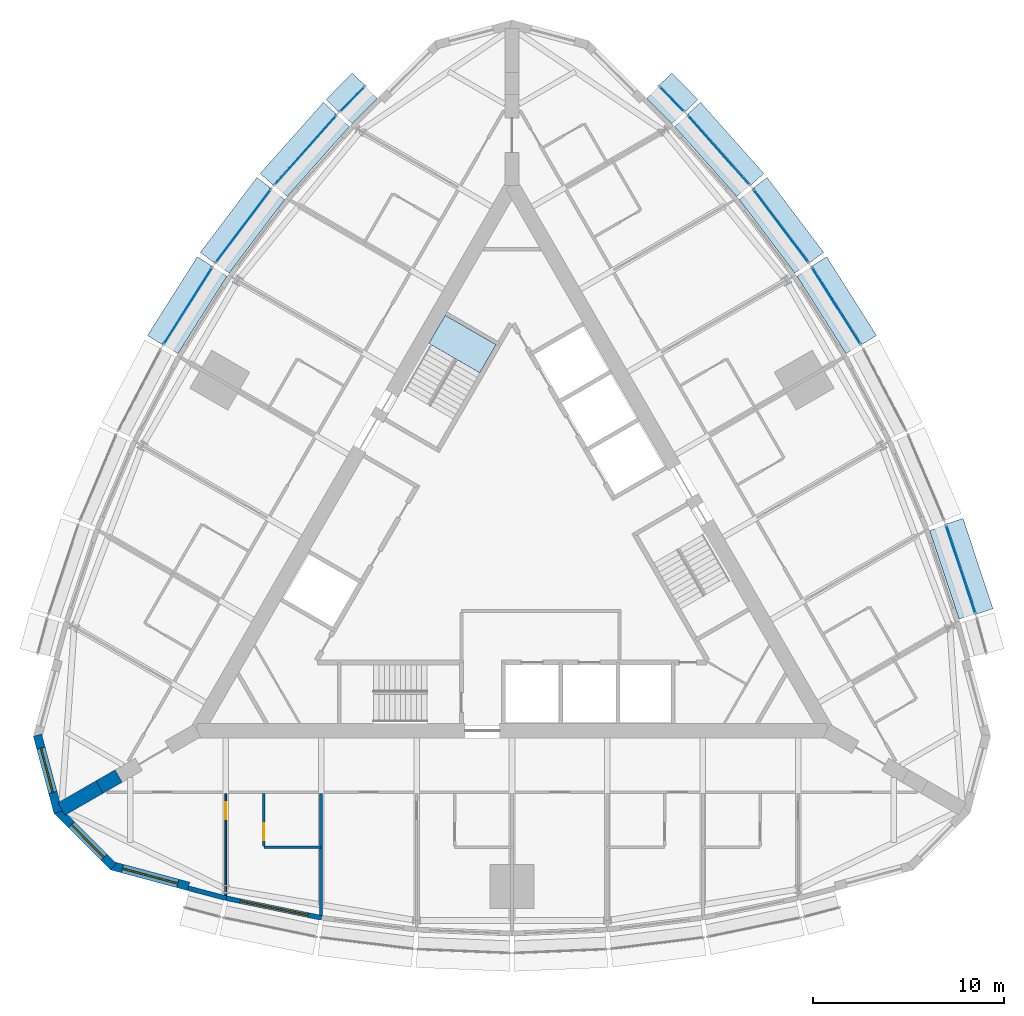
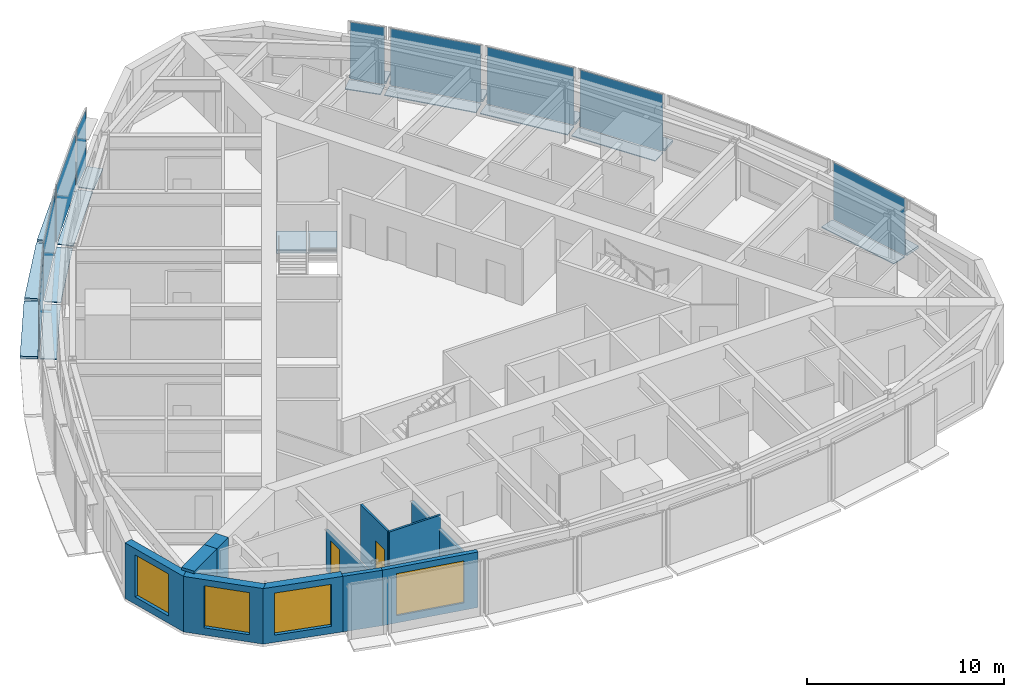
# One storey, part 8 of 15: 27 plates, 11 walls, 4 windows, 2 doors, 1 slab, 6 openings, 10 elements without a shape of their own.
"""IFC4 building model written with IfcOpenShell, lengths in metres."""

import ifcopenshell
import ifcopenshell.guid

model = None  # the IFC model being written
_history = None  # IfcOwnerHistory: only IFC2X3 demands one
_inside = {}  # id of a spatial element -> (the spatial element, [elements in it])
_under = {}  # id of a project, library or spatial element -> (it, [spatial elements below it])
_declared = {}  # id of a project -> (the project, [libraries it declares])
_typed = {}  # id of a type object -> (the type object, [elements of that type])
_made_of = {}  # id of a material, layer set ... -> (it, [elements and type objects made of it])


def new_model(schema):
    """Start an empty IFC model of exactly this schema.

    Asked for "IFC4X3", IfcOpenShell would pick the latest addendum, in which some entities
    have other attributes; the version numbers below select the first issue.
    IFC2X3 requires an IfcOwnerHistory on every rooted entity: one is made here for all.
    """
    global model, _history
    if schema == "IFC4X3":
        model = ifcopenshell.file(schema_version=(4, 3, 0, 0))
    else:
        model = ifcopenshell.file(schema=schema)
    _inside.clear()
    _under.clear()
    _declared.clear()
    _typed.clear()
    _made_of.clear()
    _history = None
    if model.schema == "IFC2X3":
        org = make("IfcOrganization", Name="unknown")
        user = make(
            "IfcPersonAndOrganization",
            ThePerson=make("IfcPerson", FamilyName="unknown"),
            TheOrganization=org,
        )
        app = make(
            "IfcApplication",
            ApplicationDeveloper=org,
            Version="unknown",
            ApplicationFullName="unknown",
            ApplicationIdentifier="unknown",
        )
        _history = make(
            "IfcOwnerHistory",
            OwningUser=user,
            OwningApplication=app,
            ChangeAction="ADDED",
            CreationDate=0,
        )
    return model


def make(cls, **values):
    """One entity of the class cls with the attributes given. An attribute that is None is left unset."""
    return model.create_entity(
        cls, **{name: value for name, value in values.items() if value is not None}
    )


def rooted(cls, **values):
    """An entity with a GlobalId (a new one), such as an element, a storey or a relation."""
    return make(cls, GlobalId=ifcopenshell.guid.new(), OwnerHistory=_history, **values)


def si_unit(unit_type, name, prefix=None):
    """IfcSIUnit, for example si_unit("LENGTHUNIT", "METRE", prefix="MILLI")."""
    return make("IfcSIUnit", UnitType=unit_type, Prefix=prefix, Name=name)


def assignment(units):
    """IfcUnitAssignment: the units of a project."""
    return None if units is None else make("IfcUnitAssignment", Units=units)


def point(xyz):
    """IfcCartesianPoint."""
    return None if xyz is None else make("IfcCartesianPoint", Coordinates=xyz)


def direction(xyz):
    """IfcDirection."""
    return None if xyz is None else make("IfcDirection", DirectionRatios=xyz)


def frame(location, z_axis=None, x_axis=None):
    """IfcAxis2Placement3D, a coordinate frame: its origin and axes. An axis left out is left unset."""
    return make(
        "IfcAxis2Placement3D",
        Location=point(location),
        Axis=direction(z_axis),
        RefDirection=direction(x_axis),
    )


def frame_2d(location, x_axis=None):
    """IfcAxis2Placement2D, a coordinate frame in the plane: its origin and x axis."""
    return make(
        "IfcAxis2Placement2D", Location=point(location), RefDirection=direction(x_axis)
    )


def origin():
    """The frame at (0, 0, 0) with its axes left unset."""
    return frame((0.0, 0.0, 0.0))


def origin_2d():
    """The frame at (0, 0) in the plane with its x axis left unset."""
    return frame_2d((0.0, 0.0))


def place(relative_to, where):
    """IfcLocalPlacement: puts the frame where relative to a parent placement (None: the world)."""
    return make(
        "IfcLocalPlacement", PlacementRelTo=relative_to, RelativePlacement=where
    )


def context(
    kind, dimensions, precision=None, world=None, true_north=None, identifier=None
):
    """IfcGeometricRepresentationContext, for example the 3D "Model" context."""
    return make(
        "IfcGeometricRepresentationContext",
        ContextIdentifier=identifier,
        ContextType=kind,
        CoordinateSpaceDimension=dimensions,
        Precision=precision,
        WorldCoordinateSystem=world,
        TrueNorth=true_north,
    )


def subcontext(parent, identifier, kind, view, scale=None):
    """IfcGeometricRepresentationSubContext, for example "Body" below "Model"."""
    return make(
        "IfcGeometricRepresentationSubContext",
        ContextIdentifier=identifier,
        ContextType=kind,
        ParentContext=parent,
        TargetScale=scale,
        TargetView=view,
    )


def project(units=None, contexts=None):
    """IfcProject with its units and contexts."""
    return rooted(
        "IfcProject",
        Name="project",
        RepresentationContexts=contexts,
        UnitsInContext=assignment(units),
    )


def spatial(cls, under=None, at=None, **own):
    """A site, building, storey or space (cls), placed at a placement, below another one or the project."""
    s = rooted(cls, ObjectPlacement=at, **own)
    if under is not None:
        _under.setdefault(under.id(), (under, []))[1].append(s)
    return s


def polyline(points):
    """IfcPolyline through the points."""
    return make("IfcPolyline", Points=[point(p) for p in points])


def profile(cls, at=None, kind="AREA", **sizes):
    """A parametric profile (cls). Its sizes go by their IFC names, for example OverallWidth=200.0."""
    return make(cls, ProfileType=kind, Position=at, **sizes)


def rectangle(**sizes):
    """IfcRectangleProfileDef."""
    return profile("IfcRectangleProfileDef", **sizes)


def outline(outer, holes=None, kind="AREA"):
    """IfcArbitraryClosedProfileDef: a profile drawn as a closed curve; with holes, ...WithVoids."""
    if holes is None:
        return make("IfcArbitraryClosedProfileDef", ProfileType=kind, OuterCurve=outer)
    return make(
        "IfcArbitraryProfileDefWithVoids",
        ProfileType=kind,
        OuterCurve=outer,
        InnerCurves=holes,
    )


def extrude(swept, where, along, depth):
    """IfcExtrudedAreaSolid: the profile swept, set in the frame where, extruded along a direction by depth."""
    return make(
        "IfcExtrudedAreaSolid",
        SweptArea=swept,
        Position=where,
        ExtrudedDirection=direction(along),
        Depth=depth,
    )


def shape(context_of_items, identifier, shape_type, items):
    """IfcShapeRepresentation: the items that make up one representation, for example the "Body"."""
    return make(
        "IfcShapeRepresentation",
        ContextOfItems=context_of_items,
        RepresentationIdentifier=identifier,
        RepresentationType=shape_type,
        Items=items,
    )


def material(Name=None, Category=None):
    """IfcMaterial."""
    return make("IfcMaterial", Name=Name, Category=Category)


def layer(
    of_material, thickness, ventilated=None, Name=None, Category=None, Priority=None
):
    """IfcMaterialLayer: one layer of a wall or slab, of a material (None: an air gap)."""
    return make(
        "IfcMaterialLayer",
        Material=of_material,
        LayerThickness=thickness,
        IsVentilated=ventilated,
        Name=Name,
        Category=Category,
        Priority=Priority,
    )


def layer_set(layers, Name=None):
    """IfcMaterialLayerSet."""
    return make("IfcMaterialLayerSet", MaterialLayers=layers, LayerSetName=Name)


def made_of(thing, what):
    """Note that an element or type object is made of a material, layer set ...; save() writes the relation."""
    if what is not None:
        _made_of.setdefault(what.id(), (what, []))[1].append(thing)
    return thing


def type_object(cls, material=None, **own):
    """A type object (cls), such as IfcWallType, which elements share."""
    return made_of(rooted(cls, **own), material)


def element(
    cls,
    number,
    at=None,
    inside=None,
    cuts=None,
    type_object=None,
    material=None,
    context=None,
    identifier="Body",
    shape_type=None,
    held_by="IfcProductDefinitionShape",
    body=None,
    shapes=None,
    **own,
):
    """One element of the class cls, such as IfcWall. Its Tag is "e" and its number.

    at: its placement. inside: the storey or other place that contains it. cuts: it is an
    opening in that element (IfcRelVoidsElement). A single representation is given by context,
    identifier, shape_type and body (its items); several are given by shapes. held_by: the class
    of the entity that holds the representations. save() writes the other relations.
    """
    e = rooted(cls, Tag="e%d" % number, ObjectPlacement=at, **own)
    if body is not None:
        shapes = [shape(context, identifier, shape_type, body)]
    if shapes is not None:
        e.Representation = make(held_by, Representations=shapes)
    if inside is not None:
        _inside.setdefault(inside.id(), (inside, []))[1].append(e)
    if cuts is not None:
        rooted(
            "IfcRelVoidsElement", RelatingBuildingElement=cuts, RelatedOpeningElement=e
        )
    if type_object is not None:
        _typed.setdefault(type_object.id(), (type_object, []))[1].append(e)
    return made_of(e, material)


def fill(opening, filler):
    """IfcRelFillsElement: the door or window that sits in an opening."""
    return rooted(
        "IfcRelFillsElement",
        RelatingOpeningElement=opening,
        RelatedBuildingElement=filler,
    )


def aggregate(whole, parts):
    """IfcRelAggregates: a whole, such as a stair, and the parts it consists of."""
    return rooted("IfcRelAggregates", RelatingObject=whole, RelatedObjects=parts)


def save(model, path):
    """Write the relations noted so far, then the file.

    IfcRelAggregates (storeys below a building ...), IfcRelContainedInSpatialStructure (elements
    in a storey), IfcRelDefinesByType, IfcRelAssociatesMaterial and IfcRelDeclares: one each for
    every whole, place, type object, material and project.
    """
    for whole, parts in _under.values():
        aggregate(whole, parts)
    for where, things in _inside.values():
        rooted(
            "IfcRelContainedInSpatialStructure",
            RelatedElements=things,
            RelatingStructure=where,
        )
    for kind, things in _typed.values():
        rooted("IfcRelDefinesByType", RelatedObjects=things, RelatingType=kind)
    for what, things in _made_of.values():
        rooted("IfcRelAssociatesMaterial", RelatedObjects=things, RelatingMaterial=what)
    for by, libraries in _declared.values():
        rooted("IfcRelDeclares", RelatingContext=by, RelatedDefinitions=libraries)
    model.write(path)


model = new_model("IFC4")

# Units and contexts
model_context = context("Model", 3, precision=1e-05, world=origin(), true_north=direction((0.0, 1.0)))
body_context = subcontext(model_context, "Body", "Model", "MODEL_VIEW")
ifc_project = project(units=[si_unit("LENGTHUNIT", "METRE"), si_unit("AREAUNIT", "SQUARE_METRE"), si_unit("VOLUMEUNIT", "CUBIC_METRE"), si_unit("PLANEANGLEUNIT", "RADIAN"), si_unit("MASSUNIT", "GRAM", prefix="KILO")], contexts=[model_context])

# Site, building, storey
site_placement = place(None, origin())
site = spatial("IfcSite", under=ifc_project, at=site_placement, CompositionType="ELEMENT")
building_placement = place(site_placement, origin())
building = spatial("IfcBuilding", under=site, at=building_placement, Name="Trikona Tower", CompositionType="ELEMENT")
storey_placement = place(building_placement, frame((0.0, 0.0, 226.10009765625)))
storey = spatial("IfcBuildingStorey", under=building, at=storey_placement, Name="L60", CompositionType="ELEMENT", Elevation=226.10009765625)

# Plates
ifc_material_1 = material(Name="Aluminium bar grating", Category="aluminium")
ifc_layer_1 = layer(ifc_material_1, 0.050048828125)
ifc_layer_set_1 = layer_set([ifc_layer_1], Name="Cavity catwalk grating")
plate_type_1 = type_object("IfcPlateType", Name="Cavity catwalk grating", PredefinedType="USERDEFINED", material=ifc_layer_set_1)
plate_1_placement = place(storey_placement, frame((23.05078125, -1.22314453125, -0.05029296875), z_axis=(0.0, 0.0, 1.0), x_axis=(-0.315092532747, 0.949060954737, 0.0)))
element("IfcPlate", 1, at=plate_1_placement, inside=storey, type_object=plate_type_1, Name="Cavity catwalk L60-13", ObjectType="CATWALK GRATING", PredefinedType="USERDEFINED", context=body_context, shape_type="SweptSolid", body=[
    extrude(rectangle(XDim=4.90478515625, YDim=0.840087890625, at=origin_2d()), origin(), (0.0, 0.0, 1.0), 0.050048828125),
])
plate_2_placement = place(storey_placement, frame((16.57666015625, 12.477294921875, -0.05029296875), z_axis=(0.0, 0.0, 1.0), x_axis=(-0.535204777743, 0.844722348397, 0.0)))
element("IfcPlate", 2, at=plate_2_placement, inside=storey, type_object=plate_type_1, Name="Cavity catwalk L60-16", ObjectType="CATWALK GRATING", PredefinedType="USERDEFINED", context=body_context, shape_type="SweptSolid", body=[
    extrude(rectangle(XDim=4.80419921875, YDim=0.840087890625, at=origin_2d()), origin(), (0.0, 0.0, 1.0), 0.050048828125),
])
plate_3_placement = place(storey_placement, frame((13.70068359375, 16.6298828125, -0.05029296875), z_axis=(0.0, 0.0, 1.0), x_axis=(-0.602401684924, 0.798193090674, 0.0)))
element("IfcPlate", 3, at=plate_3_placement, inside=storey, type_object=plate_type_1, Name="Cavity catwalk L60-17", ObjectType="CATWALK GRATING", PredefinedType="USERDEFINED", context=body_context, shape_type="SweptSolid", body=[
    extrude(rectangle(XDim=4.837890625, YDim=0.840087890625, at=origin_2d()), origin(), (0.0, 0.0, 1.0), 0.050048828125),
])
plate_4_placement = place(storey_placement, frame((10.466064453125, 20.57421875, -0.05029296875), z_axis=(0.0, 0.0, 1.0), x_axis=(-0.664367239113, 0.747406296196, 0.0)))
element("IfcPlate", 4, at=plate_4_placement, inside=storey, type_object=plate_type_1, Name="Cavity catwalk L60-18", ObjectType="CATWALK GRATING", PredefinedType="USERDEFINED", context=body_context, shape_type="SweptSolid", body=[
    extrude(rectangle(XDim=4.90478515625, YDim=0.840087890625, at=origin_2d()), origin(), (0.0, 0.0, 1.0), 0.050048828125),
])
for number, where, z_axis, x_axis, name in (
    (5, (8.0263671875, 23.23291015625, -0.05029296875), (0.0, 0.0, 1.0), (-0.704151057285, 0.710050201412, 0.0), "Cavity catwalk L60-19"),
    (6, (-8.0263671875, 23.23291015625, -0.05029296875), (0.0, 0.0, 1.0), (-0.704151057285, -0.710050201412, 0.0), "Cavity catwalk L60-24"),
):
    element("IfcPlate", number, at=place(storey_placement, frame(where, z_axis=z_axis, x_axis=x_axis)), inside=storey, type_object=plate_type_1, Name=name, ObjectType="CATWALK GRATING", PredefinedType="USERDEFINED", context=body_context, shape_type="SweptSolid", body=[
        extrude(rectangle(XDim=1.868408203125, YDim=0.840087890625, at=origin_2d()), origin(), (0.0, 0.0, 1.0), 0.050048828125),
    ])
plate_5_placement = place(storey_placement, frame((-10.466064453125, 20.57421875, -0.05029296875), z_axis=(0.0, 0.0, 1.0), x_axis=(-0.664367239113, -0.747406296196, 0.0)))
element("IfcPlate", 7, at=plate_5_placement, inside=storey, type_object=plate_type_1, Name="Cavity catwalk L60-25", ObjectType="CATWALK GRATING", PredefinedType="USERDEFINED", context=body_context, shape_type="SweptSolid", body=[
    extrude(rectangle(XDim=4.90478515625, YDim=0.840087890625, at=origin_2d()), origin(), (0.0, 0.0, 1.0), 0.050048828125),
])
plate_6_placement = place(storey_placement, frame((-13.70068359375, 16.6298828125, -0.05029296875), z_axis=(0.0, 0.0, 1.0), x_axis=(-0.602401684924, -0.798193090674, 0.0)))
element("IfcPlate", 8, at=plate_6_placement, inside=storey, type_object=plate_type_1, Name="Cavity catwalk L60-26", ObjectType="CATWALK GRATING", PredefinedType="USERDEFINED", context=body_context, shape_type="SweptSolid", body=[
    extrude(rectangle(XDim=4.837890625, YDim=0.840087890625, at=origin_2d()), origin(), (0.0, 0.0, 1.0), 0.050048828125),
])
plate_7_placement = place(storey_placement, frame((-16.57666015625, 12.477294921875, -0.05029296875), z_axis=(0.0, 0.0, 1.0), x_axis=(-0.535204777743, -0.844722348397, 0.0)))
element("IfcPlate", 9, at=plate_7_placement, inside=storey, type_object=plate_type_1, Name="Cavity catwalk L60-27", ObjectType="CATWALK GRATING", PredefinedType="USERDEFINED", context=body_context, shape_type="SweptSolid", body=[
    extrude(rectangle(XDim=4.80419921875, YDim=0.840087890625, at=origin_2d()), origin(), (0.0, 0.0, 1.0), 0.050048828125),
])

# Curtain wall, plate
ifc_material_2 = material(Name="Aluminium curtain wall system", Category="aluminium")
curtain_wall_type = type_object("IfcCurtainWallType", Name="Curtain wall DS3", PredefinedType="NOTDEFINED", material=ifc_material_2)
curtain_wall_1_placement = place(storey_placement, origin())
curtain_wall_1 = element("IfcCurtainWall", 10, at=curtain_wall_1_placement, inside=storey, type_object=curtain_wall_type, Name="Curtain wall DS3 L60", PredefinedType="NOTDEFINED")
ifc_material_3 = material(Name="Laminated clear glass", Category="glass")
ifc_layer_2 = layer(ifc_material_3, 0.028076171875)
ifc_layer_set_2 = layer_set([ifc_layer_2], Name="Glass panel DS3")
plate_type_2 = type_object("IfcPlateType", Name="Glass panel DS3", PredefinedType="CURTAIN_PANEL", material=ifc_layer_set_2)
plate_8_placement = place(storey_placement, frame((23.50634765625, -1.072021484375, 0.0), z_axis=(0.0, 0.0, 1.0), x_axis=(-0.315078038687, 0.949065766708, 0.0)))
plate_8 = element("IfcPlate", 11, at=plate_8_placement, type_object=plate_type_2, Name="CW-DS3 panel 1.1", PredefinedType="CURTAIN_PANEL", context=body_context, shape_type="SweptSolid", body=[
    extrude(rectangle(XDim=4.8447265625, YDim=0.028076171875, at=origin_2d()), origin(), (0.0, 0.0, 1.0), 3.530029296875),
])
aggregate(curtain_wall_1, [plate_8])

curtain_wall_2_placement = place(storey_placement, origin())
curtain_wall_2 = element("IfcCurtainWall", 12, at=curtain_wall_2_placement, inside=storey, type_object=curtain_wall_type, Name="Curtain wall DS3 L60", PredefinedType="NOTDEFINED")
plate_9_placement = place(storey_placement, frame((16.982177734375, 12.734130859375, 0.0), z_axis=(0.0, 0.0, 1.0), x_axis=(-0.535197227854, 0.844727131858, 0.0)))
plate_9 = element("IfcPlate", 13, at=plate_9_placement, type_object=plate_type_2, Name="CW-DS3 panel 1.1", PredefinedType="CURTAIN_PANEL", context=body_context, shape_type="SweptSolid", body=[
    extrude(rectangle(XDim=4.744140625, YDim=0.028076171875, at=origin_2d()), origin(), (0.0, 0.0, 1.0), 3.530029296875),
])
aggregate(curtain_wall_2, [plate_9])

curtain_wall_3_placement = place(storey_placement, origin())
curtain_wall_3 = element("IfcCurtainWall", 14, at=curtain_wall_3_placement, inside=storey, type_object=curtain_wall_type, Name="Curtain wall DS3 L60", PredefinedType="NOTDEFINED")
plate_10_placement = place(storey_placement, frame((14.083740234375, 16.9189453125, 0.0), z_axis=(0.0, 0.0, 1.0), x_axis=(-0.602401528506, 0.798193208724, 0.0)))
plate_10 = element("IfcPlate", 15, at=plate_10_placement, type_object=plate_type_2, Name="CW-DS3 panel 1.1", PredefinedType="CURTAIN_PANEL", context=body_context, shape_type="SweptSolid", body=[
    extrude(rectangle(XDim=4.778076171875, YDim=0.028076171875, at=origin_2d()), origin(), (0.0, 0.0, 1.0), 3.530029296875),
])
aggregate(curtain_wall_3, [plate_10])

curtain_wall_4_placement = place(storey_placement, origin())
curtain_wall_4 = element("IfcCurtainWall", 16, at=curtain_wall_4_placement, inside=storey, type_object=curtain_wall_type, Name="Curtain wall DS3 L60", PredefinedType="NOTDEFINED")
plate_11_placement = place(storey_placement, frame((10.82470703125, 20.89306640625, 0.0), z_axis=(0.0, 0.0, 1.0), x_axis=(-0.664371309689, 0.747402677853, 0.0)))
plate_11 = element("IfcPlate", 17, at=plate_11_placement, type_object=plate_type_2, Name="CW-DS3 panel 1.1", PredefinedType="CURTAIN_PANEL", context=body_context, shape_type="SweptSolid", body=[
    extrude(rectangle(XDim=4.844970703125, YDim=0.028076171875, at=origin_2d()), origin(), (0.0, 0.0, 1.0), 3.530029296875),
])
aggregate(curtain_wall_4, [plate_11])

curtain_wall_5_placement = place(storey_placement, origin())
curtain_wall_5 = element("IfcCurtainWall", 18, at=curtain_wall_5_placement, inside=storey, type_object=curtain_wall_type, Name="Curtain wall DS3 L60", PredefinedType="NOTDEFINED")
plate_12_placement = place(storey_placement, frame((8.3671875, 23.57080078125, 0.0), z_axis=(0.0, 0.0, 1.0), x_axis=(-0.704149343903, 0.710051900554, 0.0)))
plate_12 = element("IfcPlate", 19, at=plate_12_placement, type_object=plate_type_2, Name="CW-DS3 panel 1.1", PredefinedType="CURTAIN_PANEL", context=body_context, shape_type="SweptSolid", body=[
    extrude(rectangle(XDim=1.808349609375, YDim=0.028076171875, at=origin_2d()), origin(), (0.0, 0.0, 1.0), 3.530029296875),
])
aggregate(curtain_wall_5, [plate_12])

curtain_wall_6_placement = place(storey_placement, origin())
curtain_wall_6 = element("IfcCurtainWall", 20, at=curtain_wall_6_placement, inside=storey, type_object=curtain_wall_type, Name="Curtain wall DS3 L60", PredefinedType="NOTDEFINED")
plate_13_placement = place(storey_placement, frame((-8.3671875, 23.57080078125, 0.0), z_axis=(0.0, 0.0, 1.0), x_axis=(-0.704149343903, -0.710051900554, 0.0)))
plate_13 = element("IfcPlate", 21, at=plate_13_placement, type_object=plate_type_2, Name="CW-DS3 panel 1.1", PredefinedType="CURTAIN_PANEL", context=body_context, shape_type="SweptSolid", body=[
    extrude(rectangle(XDim=1.808349609375, YDim=0.028076171875, at=origin_2d()), origin(), (0.0, 0.0, 1.0), 3.530029296875),
])
aggregate(curtain_wall_6, [plate_13])

curtain_wall_7_placement = place(storey_placement, origin())
curtain_wall_7 = element("IfcCurtainWall", 22, at=curtain_wall_7_placement, inside=storey, type_object=curtain_wall_type, Name="Curtain wall DS3 L60", PredefinedType="NOTDEFINED")
plate_14_placement = place(storey_placement, frame((-10.82470703125, 20.89306640625, 0.0), z_axis=(0.0, 0.0, 1.0), x_axis=(-0.664371309689, -0.747402677853, 0.0)))
plate_14 = element("IfcPlate", 23, at=plate_14_placement, type_object=plate_type_2, Name="CW-DS3 panel 1.1", PredefinedType="CURTAIN_PANEL", context=body_context, shape_type="SweptSolid", body=[
    extrude(rectangle(XDim=4.844970703125, YDim=0.028076171875, at=origin_2d()), origin(), (0.0, 0.0, 1.0), 3.530029296875),
])
aggregate(curtain_wall_7, [plate_14])

curtain_wall_8_placement = place(storey_placement, origin())
curtain_wall_8 = element("IfcCurtainWall", 24, at=curtain_wall_8_placement, inside=storey, type_object=curtain_wall_type, Name="Curtain wall DS3 L60", PredefinedType="NOTDEFINED")
plate_15_placement = place(storey_placement, frame((-14.083740234375, 16.9189453125, 0.0), z_axis=(0.0, 0.0, 1.0), x_axis=(-0.602401528506, -0.798193208724, 0.0)))
plate_15 = element("IfcPlate", 25, at=plate_15_placement, type_object=plate_type_2, Name="CW-DS3 panel 1.1", PredefinedType="CURTAIN_PANEL", context=body_context, shape_type="SweptSolid", body=[
    extrude(rectangle(XDim=4.778076171875, YDim=0.028076171875, at=origin_2d()), origin(), (0.0, 0.0, 1.0), 3.530029296875),
])
aggregate(curtain_wall_8, [plate_15])

curtain_wall_9_placement = place(storey_placement, origin())
curtain_wall_9 = element("IfcCurtainWall", 26, at=curtain_wall_9_placement, inside=storey, type_object=curtain_wall_type, Name="Curtain wall DS3 L60", PredefinedType="NOTDEFINED")
plate_16_placement = place(storey_placement, frame((-16.982177734375, 12.734130859375, 0.0), z_axis=(0.0, 0.0, 1.0), x_axis=(-0.535197227854, -0.844727131858, 0.0)))
plate_16 = element("IfcPlate", 27, at=plate_16_placement, type_object=plate_type_2, Name="CW-DS3 panel 1.1", PredefinedType="CURTAIN_PANEL", context=body_context, shape_type="SweptSolid", body=[
    extrude(rectangle(XDim=4.744140625, YDim=0.028076171875, at=origin_2d()), origin(), (0.0, 0.0, 1.0), 3.530029296875),
])
aggregate(curtain_wall_9, [plate_16])

# Plates
ifc_material_4 = material(Name="Aluminium plate fin, pale anodised, on stainless steel outriggers", Category="steel")
ifc_layer_3 = layer(ifc_material_4, 0.14990234375)
ifc_layer_set_3 = layer_set([ifc_layer_3], Name="Outer skin fin 900")
plate_type_3 = type_object("IfcPlateType", Name="Outer skin fin 900", PredefinedType="USERDEFINED", material=ifc_layer_set_3)
plate_17_placement = place(storey_placement, frame((23.990234375, -0.9111328125, 0.0), z_axis=(0.0, 0.0, 1.0), x_axis=(-0.315092532747, 0.949060954737, 0.0)))
element("IfcPlate", 28, at=plate_17_placement, inside=storey, type_object=plate_type_3, Name="Outer skin fin L60-13", ObjectType="FIN", PredefinedType="USERDEFINED", context=body_context, shape_type="SweptSolid", body=[
    extrude(rectangle(XDim=4.98486328125, YDim=0.89990234375, at=origin_2d()), origin(), (0.0, 0.0, 1.0), 0.14990234375),
])
plate_18_placement = place(storey_placement, frame((17.4130859375, 13.007080078125, 0.0), z_axis=(0.0, 0.0, 1.0), x_axis=(-0.535204777743, 0.844722348397, 0.0)))
element("IfcPlate", 29, at=plate_18_placement, inside=storey, type_object=plate_type_3, Name="Outer skin fin L60-16", ObjectType="FIN", PredefinedType="USERDEFINED", context=body_context, shape_type="SweptSolid", body=[
    extrude(rectangle(XDim=4.88427734375, YDim=0.89990234375, at=origin_2d()), origin(), (0.0, 0.0, 1.0), 0.14990234375),
])
plate_19_placement = place(storey_placement, frame((14.49072265625, 17.22607421875, 0.0), z_axis=(0.0, 0.0, 1.0), x_axis=(-0.602401684924, 0.798193090674, 0.0)))
element("IfcPlate", 30, at=plate_19_placement, inside=storey, type_object=plate_type_3, Name="Outer skin fin L60-17", ObjectType="FIN", PredefinedType="USERDEFINED", context=body_context, shape_type="SweptSolid", body=[
    extrude(rectangle(XDim=4.91796875, YDim=0.89990234375, at=origin_2d()), origin(), (0.0, 0.0, 1.0), 0.14990234375),
])
plate_20_placement = place(storey_placement, frame((11.2060546875, 21.23193359375, 0.0), z_axis=(0.0, 0.0, 1.0), x_axis=(-0.664367239113, 0.747406296196, 0.0)))
element("IfcPlate", 31, at=plate_20_placement, inside=storey, type_object=plate_type_3, Name="Outer skin fin L60-18", ObjectType="FIN", PredefinedType="USERDEFINED", context=body_context, shape_type="SweptSolid", body=[
    extrude(rectangle(XDim=4.98486328125, YDim=0.89990234375, at=origin_2d()), origin(), (0.0, 0.0, 1.0), 0.14990234375),
])
for number, where, z_axis, x_axis, name in (
    (32, (8.7294921875, 23.929931640625, 0.0), (0.0, 0.0, 1.0), (-0.704151057285, 0.710050201412, 0.0), "Outer skin fin L60-19"),
    (33, (-8.7294921875, 23.929931640625, 0.0), (0.0, 0.0, 1.0), (-0.704151057285, -0.710050201412, 0.0), "Outer skin fin L60-24"),
):
    element("IfcPlate", number, at=place(storey_placement, frame(where, z_axis=z_axis, x_axis=x_axis)), inside=storey, type_object=plate_type_3, Name=name, ObjectType="FIN", PredefinedType="USERDEFINED", context=body_context, shape_type="SweptSolid", body=[
        extrude(rectangle(XDim=1.9482421875, YDim=0.89990234375, at=origin_2d()), origin(), (0.0, 0.0, 1.0), 0.14990234375),
    ])
plate_21_placement = place(storey_placement, frame((-11.2060546875, 21.23193359375, 0.0), z_axis=(0.0, 0.0, 1.0), x_axis=(-0.664367239113, -0.747406296196, 0.0)))
element("IfcPlate", 34, at=plate_21_placement, inside=storey, type_object=plate_type_3, Name="Outer skin fin L60-25", ObjectType="FIN", PredefinedType="USERDEFINED", context=body_context, shape_type="SweptSolid", body=[
    extrude(rectangle(XDim=4.98486328125, YDim=0.89990234375, at=origin_2d()), origin(), (0.0, 0.0, 1.0), 0.14990234375),
])
plate_22_placement = place(storey_placement, frame((-14.49072265625, 17.22607421875, 0.0), z_axis=(0.0, 0.0, 1.0), x_axis=(-0.602401684924, -0.798193090674, 0.0)))
element("IfcPlate", 35, at=plate_22_placement, inside=storey, type_object=plate_type_3, Name="Outer skin fin L60-26", ObjectType="FIN", PredefinedType="USERDEFINED", context=body_context, shape_type="SweptSolid", body=[
    extrude(rectangle(XDim=4.91796875, YDim=0.89990234375, at=origin_2d()), origin(), (0.0, 0.0, 1.0), 0.14990234375),
])
plate_23_placement = place(storey_placement, frame((-17.4130859375, 13.007080078125, 0.0), z_axis=(0.0, 0.0, 1.0), x_axis=(-0.535204777743, -0.844722348397, 0.0)))
element("IfcPlate", 36, at=plate_23_placement, inside=storey, type_object=plate_type_3, Name="Outer skin fin L60-27", ObjectType="FIN", PredefinedType="USERDEFINED", context=body_context, shape_type="SweptSolid", body=[
    extrude(rectangle(XDim=4.88427734375, YDim=0.89990234375, at=origin_2d()), origin(), (0.0, 0.0, 1.0), 0.14990234375),
])

# Stair, slab
ifc_material_5 = material(Name="Concrete f'c 5000 psi", Category="concrete")
stair_type = type_object("IfcStairType", Name="Core stair", PredefinedType="HALF_TURN_STAIR", material=ifc_material_5)
stair_placement = place(storey_placement, origin())
stair = element("IfcStair", 37, at=stair_placement, inside=storey, type_object=stair_type, Name="Stair C L60", PredefinedType="HALF_TURN_STAIR")
ifc_material_6 = material(Name="Concrete f'c 5000 psi", Category="concrete")
ifc_layer_4 = layer(ifc_material_6, 0.199951171875)
ifc_layer_set_4 = layer_set([ifc_layer_4], Name="Stair landing 200")
slab_type = type_object("IfcSlabType", Name="Stair landing 200", PredefinedType="LANDING", material=ifc_layer_set_4)
slab_placement = place(storey_placement, frame((0.0, 0.0, 1.599853515625)))
slab = element("IfcSlab", 38, at=slab_placement, type_object=slab_type, Name="ST-C landing 2", PredefinedType="LANDING", context=body_context, shape_type="SweptSolid", body=[
    extrude(outline(polyline([(-0.837158203125, 10.702392578125), (-1.688720703125, 9.2275390625), (-4.351806640625, 10.76513671875), (-3.500244140625, 12.239990234375), (-0.837158203125, 10.702392578125)])), origin(), (0.0, 0.0, 1.0), 0.199951171875),
])
aggregate(stair, [slab])

# Wall
ifc_material_7 = material(Name="Metal stud and cement board", Category="gypsum")
ifc_layer_5 = layer(ifc_material_7, 0.1201171875)
ifc_layer_set_5 = layer_set([ifc_layer_5], Name="Bathroom wall 120")
wall_type_1 = type_object("IfcWallType", Name="Bathroom wall 120", PredefinedType="PLUMBINGWALL", material=ifc_layer_set_5)
wall_1_placement = place(storey_placement, frame((-13.0, -15.626220703125, 0.0), z_axis=(0.0, 0.0, 1.0), x_axis=(1.0, 0.0, 0.0)))
element("IfcWall", 39, at=wall_1_placement, inside=storey, type_object=wall_type_1, Name="Bathroom wall 6001.1", PredefinedType="PLUMBINGWALL", context=body_context, shape_type="SweptSolid", body=[
    extrude(rectangle(XDim=3.0, YDim=0.1201171875, at=frame_2d((1.5, 0.0))), origin(), (0.0, 0.0, 1.0), 3.434814453125),
])

# Wall, opening, door
wall_2_placement = place(storey_placement, frame((-13.0, -12.826416015625, 0.0), z_axis=(0.0, 0.0, 1.0), x_axis=(0.0, -1.0, 0.0)))
wall_2 = element("IfcWall", 40, at=wall_2_placement, inside=storey, type_object=wall_type_1, Name="Bathroom wall 6001.1", PredefinedType="PLUMBINGWALL", context=body_context, shape_type="SweptSolid", body=[
    extrude(rectangle(XDim=2.739990234375, YDim=0.1201171875, at=frame_2d((1.3701171875, 0.0))), origin(), (0.0, 0.0, 1.0), 3.434814453125),
])
opening_1_placement = place(wall_2_placement, frame((1.550048828125, 0.0, 0.0)))
opening_1 = element("IfcOpeningElement", 41, at=opening_1_placement, cuts=wall_2, Name="Opening D2", PredefinedType="OPENING", context=body_context, shape_type="SweptSolid", body=[
    extrude(rectangle(XDim=0.89990234375, YDim=2.1298828125, at=frame_2d((0.449951171875, 1.06494140625))), frame((0.0, 0.070068359375, 0.0), z_axis=(0.0, -1.0, 0.0), x_axis=(1.0, 0.0, 0.0)), (0.0, 0.0, 1.0), 0.14013671875),
])
ifc_material_8 = material(Name="Steel door frame with solid-core timber leaf", Category="steel")
door_type_1 = type_object("IfcDoorType", Name="Bathroom door 900x2130", OperationType="SLIDING_TO_LEFT", PredefinedType="DOOR", material=ifc_material_8)
door_1_placement = place(opening_1_placement, origin())
door_1 = element("IfcDoor", 42, at=door_1_placement, inside=storey, type_object=door_type_1, Name="Bathroom door 6001.1", OperationType="SLIDING_TO_LEFT", OverallHeight=2.1298828125, OverallWidth=0.89990234375, PredefinedType="DOOR", context=body_context, shape_type="SweptSolid", body=[
    extrude(rectangle(XDim=0.89990234375, YDim=2.1298828125, at=frame_2d((0.449951171875, 1.06494140625))), frame((0.0, 0.02490234375, 0.0), z_axis=(0.0, -1.0, 0.0), x_axis=(1.0, 0.0, 0.0)), (0.0, 0.0, 1.0), 0.050048828125),
])
fill(opening_1, door_1)

# Wall, opening, window
ifc_material_9 = material(Name="Brick-faced precast concrete", Category="masonry")
ifc_layer_6 = layer(ifc_material_9, 0.449951171875)
ifc_layer_set_6 = layer_set([ifc_layer_6], Name="Brick-faced corner wall 450")
wall_type_2 = type_object("IfcWallType", Name="Brick-faced corner wall 450", PredefinedType="SOLIDWALL", material=ifc_layer_set_6)
wall_3_placement = place(storey_placement, frame((-24.865478515625, -9.7568359375, 0.0), z_axis=(0.0, 0.0, 1.0), x_axis=(0.258799282522, -0.96593112144, 0.0)))
wall_3 = element("IfcWall", 43, at=wall_3_placement, inside=storey, type_object=wall_type_2, Name="External wall L60-33", PredefinedType="SOLIDWALL", context=body_context, shape_type="SweptSolid", body=[
    extrude(outline(polyline([(4.183837890625, 0.22509765625), (4.12451171875, 0.22509765625), (3.705078125, 0.112548828125), (3.675048828125, 0.22509765625), (0.0, 0.22509765625), (0.0, -0.22509765625), (4.183837890625, -0.22509765625), (4.183837890625, 0.22509765625)])), origin(), (0.0, 0.0, 1.0), 3.434814453125),
])
opening_2_placement = place(wall_3_placement, frame((0.712646484375, 0.0, 0.449951171875)))
opening_2 = element("IfcOpeningElement", 44, at=opening_2_placement, cuts=wall_3, Name="Opening W2426", PredefinedType="OPENING", context=body_context, shape_type="SweptSolid", body=[
    extrude(rectangle(XDim=2.39990234375, YDim=2.60009765625, at=frame_2d((1.199951171875, 1.300048828125))), frame((0.0, 0.23486328125, 0.0), z_axis=(0.0, -1.0, 0.0), x_axis=(1.0, 0.0, 0.0)), (0.0, 0.0, 1.0), 0.469970703125),
])
ifc_material_10 = material(Name="Aluminium-framed double glazing", Category="aluminium")
window_type_1 = type_object("IfcWindowType", Name="Window 2400x2600", PartitioningType="SINGLE_PANEL", PredefinedType="WINDOW", material=ifc_material_10)
window_1_placement = place(opening_2_placement, origin())
window_1 = element("IfcWindow", 45, at=window_1_placement, inside=storey, type_object=window_type_1, Name="Window 6012", OverallHeight=2.60009765625, OverallWidth=2.39990234375, PartitioningType="SINGLE_PANEL", PredefinedType="WINDOW", context=body_context, shape_type="SweptSolid", body=[
    extrude(rectangle(XDim=2.39990234375, YDim=2.60009765625, at=frame_2d((1.199951171875, 1.300048828125))), frame((0.0, 0.030029296875, 0.0), z_axis=(0.0, -1.0, 0.0), x_axis=(1.0, 0.0, 0.0)), (0.0, 0.0, 1.0), 0.06005859375),
])
fill(opening_2, window_1)

wall_4_placement = place(storey_placement, frame((-23.8408203125, -13.697265625, 0.0), z_axis=(0.0, 0.0, 1.0), x_axis=(0.707077605902, -0.707135955267, 0.0)))
wall_4 = element("IfcWall", 46, at=wall_4_placement, inside=storey, type_object=wall_type_2, Name="External wall L60-34", PredefinedType="SOLIDWALL", context=body_context, shape_type="SweptSolid", body=[
    extrude(outline(polyline([(4.18408203125, 0.22509765625), (0.5087890625, 0.22509765625), (0.478759765625, 0.112548828125), (0.05908203125, 0.22509765625), (0.0, 0.22509765625), (0.0, -0.22509765625), (4.18408203125, -0.22509765625), (4.18408203125, 0.22509765625)])), origin(), (0.0, 0.0, 1.0), 3.434814453125),
])
opening_3_placement = place(wall_4_placement, frame((1.0712890625, 0.0, 0.449951171875)))
opening_3 = element("IfcOpeningElement", 47, at=opening_3_placement, cuts=wall_4, Name="Opening W2426", PredefinedType="OPENING", context=body_context, shape_type="SweptSolid", body=[
    extrude(rectangle(XDim=2.39990234375, YDim=2.60009765625, at=frame_2d((1.199951171875, 1.300048828125))), frame((0.0, 0.23486328125, 0.0), z_axis=(0.0, -1.0, 0.0), x_axis=(1.0, 0.0, 0.0)), (0.0, 0.0, 1.0), 0.469970703125),
])
window_2_placement = place(opening_3_placement, origin())
window_2 = element("IfcWindow", 48, at=window_2_placement, inside=storey, type_object=window_type_1, Name="Window 6001", OverallHeight=2.60009765625, OverallWidth=2.39990234375, PartitioningType="SINGLE_PANEL", PredefinedType="WINDOW", context=body_context, shape_type="SweptSolid", body=[
    extrude(rectangle(XDim=2.39990234375, YDim=2.60009765625, at=frame_2d((1.199951171875, 1.300048828125))), frame((0.0, 0.030029296875, 0.0), z_axis=(0.0, -1.0, 0.0), x_axis=(1.0, 0.0, 0.0)), (0.0, 0.0, 1.0), 0.06005859375),
])
fill(opening_3, window_2)

wall_5_placement = place(storey_placement, frame((-20.9833984375, -16.59765625, 0.0), z_axis=(0.0, 0.0, 1.0), x_axis=(0.965920442324, -0.258839137498, 0.0)))
wall_5 = element("IfcWall", 49, at=wall_5_placement, inside=storey, type_object=wall_type_2, Name="External wall L60-35", PredefinedType="SOLIDWALL", context=body_context, shape_type="SweptSolid", body=[
    extrude(rectangle(XDim=4.18408203125, YDim=0.449951171875, at=frame_2d((2.092041015625, 0.0))), origin(), (0.0, 0.0, 1.0), 3.434814453125),
])
opening_4_placement = place(wall_5_placement, frame((0.592041015625, 0.0, 0.449951171875)))
opening_4 = element("IfcOpeningElement", 50, at=opening_4_placement, cuts=wall_5, Name="Opening W3026", PredefinedType="OPENING", context=body_context, shape_type="SweptSolid", body=[
    extrude(rectangle(XDim=3.0, YDim=2.60009765625, at=frame_2d((1.5, 1.300048828125))), frame((0.0, 0.23486328125, 0.0), z_axis=(0.0, -1.0, 0.0), x_axis=(1.0, 0.0, 0.0)), (0.0, 0.0, 1.0), 0.469970703125),
])
ifc_material_11 = material(Name="Aluminium-framed double glazing", Category="aluminium")
window_type_2 = type_object("IfcWindowType", Name="Window 3000x2600", PartitioningType="SINGLE_PANEL", PredefinedType="WINDOW", material=ifc_material_11)
window_3_placement = place(opening_4_placement, origin())
window_3 = element("IfcWindow", 51, at=window_3_placement, inside=storey, type_object=window_type_2, Name="Window 6001", OverallHeight=2.60009765625, OverallWidth=3.0, PartitioningType="SINGLE_PANEL", PredefinedType="WINDOW", context=body_context, shape_type="SweptSolid", body=[
    extrude(rectangle(XDim=3.0, YDim=2.60009765625, at=frame_2d((1.5, 1.300048828125))), frame((0.0, 0.030029296875, 0.0), z_axis=(0.0, -1.0, 0.0), x_axis=(1.0, 0.0, 0.0)), (0.0, 0.0, 1.0), 0.06005859375),
])
fill(opening_4, window_3)

# Walls
ifc_material_12 = material(Name="Concrete f'c 10000 psi", Category="concrete")
ifc_layer_7 = layer(ifc_material_12, 0.75)
ifc_layer_set_7 = layer_set([ifc_layer_7], Name="Buttress wall 750")
wall_type_3 = type_object("IfcWallType", Name="Buttress wall 750", PredefinedType="SHEAR", material=ifc_layer_set_7)
wall_6_placement = place(storey_placement, frame((-20.6103515625, -11.8994140625, 0.0), z_axis=(0.0, 0.0, 1.0), x_axis=(-0.866009537788, -0.500027479704, 0.0)))
element("IfcWall", 52, at=wall_6_placement, inside=storey, type_object=wall_type_3, Name="Buttress wall 3 part 2", PredefinedType="SHEAR", context=body_context, shape_type="SweptSolid", body=[
    extrude(rectangle(XDim=1.15478515625, YDim=0.75, at=frame_2d((0.577392578125, 0.0))), origin(), (0.0, 0.0, 1.0), 3.599853515625),
])
wall_7_placement = place(storey_placement, frame((-21.6103515625, -12.476806640625, 0.0), z_axis=(0.0, 0.0, 1.0), x_axis=(-0.866055313784, -0.499948190782, 0.0)))
element("IfcWall", 53, at=wall_7_placement, inside=storey, type_object=wall_type_3, Name="Buttress wall 3 part 3", PredefinedType="SHEAR", context=body_context, shape_type="SweptSolid", body=[
    extrude(rectangle(XDim=2.309326171875, YDim=0.75, at=frame_2d((1.15478515625, 0.0))), origin(), (0.0, 0.0, 1.0), 3.599853515625),
])
ifc_material_13 = material(Name="Insulated precast concrete spandrel panel", Category="concrete")
ifc_layer_8 = layer(ifc_material_13, 0.25)
ifc_layer_set_8 = layer_set([ifc_layer_8], Name="Inner skin wall 250")
wall_type_4 = type_object("IfcWallType", Name="Inner skin wall 250", PredefinedType="STANDARD", material=ifc_layer_set_8)
wall_8_placement = place(storey_placement, frame((-16.968017578125, -17.777099609375, 0.0), z_axis=(0.0, 0.0, 1.0), x_axis=(0.967010286052, -0.254737328772, 0.0)))
element("IfcWall", 54, at=wall_8_placement, inside=storey, type_object=wall_type_4, Name="External wall L60-00", PredefinedType="STANDARD", context=body_context, shape_type="SweptSolid", body=[
    extrude(rectangle(XDim=2.068115234375, YDim=0.25, at=frame_2d((1.0341796875, 0.0))), origin(), (0.0, 0.0, 1.0), 3.434814453125),
])

# Wall, opening, window
wall_9_placement = place(storey_placement, frame((-14.974853515625, -18.302490234375, 0.0), z_axis=(0.0, 0.0, 1.0), x_axis=(0.979461488189, -0.201631329795, 0.0)))
wall_9 = element("IfcWall", 55, at=wall_9_placement, inside=storey, type_object=wall_type_4, Name="External wall L60-01", PredefinedType="STANDARD", context=body_context, shape_type="SweptSolid", body=[
    extrude(rectangle(XDim=5.104736328125, YDim=0.25, at=frame_2d((2.55224609375, 0.0))), origin(), (0.0, 0.0, 1.0), 3.434814453125),
])
opening_5_placement = place(wall_9_placement, frame((0.75244140625, 0.0, 0.449951171875)))
opening_5 = element("IfcOpeningElement", 56, at=opening_5_placement, cuts=wall_9, Name="Opening W3626", PredefinedType="OPENING", context=body_context, shape_type="SweptSolid", body=[
    extrude(rectangle(XDim=3.60009765625, YDim=2.60009765625, at=frame_2d((1.800048828125, 1.300048828125))), frame((0.0, 0.135009765625, 0.0), z_axis=(0.0, -1.0, 0.0), x_axis=(1.0, 0.0, 0.0)), (0.0, 0.0, 1.0), 0.27001953125),
])
ifc_material_14 = material(Name="Aluminium-framed double glazing", Category="aluminium")
window_type_3 = type_object("IfcWindowType", Name="Window 3600x2600", PartitioningType="SINGLE_PANEL", PredefinedType="WINDOW", material=ifc_material_14)
window_4_placement = place(opening_5_placement, origin())
window_4 = element("IfcWindow", 57, at=window_4_placement, inside=storey, type_object=window_type_3, Name="Window 6001.1", OverallHeight=2.60009765625, OverallWidth=3.60009765625, PartitioningType="SINGLE_PANEL", PredefinedType="WINDOW", context=body_context, shape_type="SweptSolid", body=[
    extrude(rectangle(XDim=3.60009765625, YDim=2.60009765625, at=frame_2d((1.800048828125, 1.300048828125))), frame((0.0, 0.030029296875, 0.0), z_axis=(0.0, -1.0, 0.0), x_axis=(1.0, 0.0, 0.0)), (0.0, 0.0, 1.0), 0.06005859375),
])
fill(opening_5, window_4)

# Wall
ifc_material_15 = material(Name="Metal stud and gypsum board, 1-hour acoustic", Category="gypsum")
ifc_layer_9 = layer(ifc_material_15, 0.14990234375)
ifc_layer_set_9 = layer_set([ifc_layer_9], Name="Party wall 150")
wall_type_5 = type_object("IfcWallType", Name="Party wall 150", PredefinedType="PARTITIONING", material=ifc_layer_set_9)
wall_10_placement = place(storey_placement, frame((-10.0, -12.826416015625, 0.0), z_axis=(0.0, 0.0, 1.0), x_axis=(0.0, -1.0, 0.0)))
element("IfcWall", 58, at=wall_10_placement, inside=storey, type_object=wall_type_5, Name="Partition L60 F1 u-10", PredefinedType="PARTITIONING", context=body_context, shape_type="SweptSolid", body=[
    extrude(rectangle(XDim=6.372802734375, YDim=0.14990234375, at=frame_2d((3.1865234375, 0.0))), origin(), (0.0, 0.0, 1.0), 2.589111328125),
])

# Wall, opening, door
ifc_material_16 = material(Name="Metal stud and gypsum board, acoustic", Category="gypsum")
ifc_layer_10 = layer(ifc_material_16, 0.10009765625)
ifc_layer_set_10 = layer_set([ifc_layer_10], Name="Suite partition 100")
wall_type_6 = type_object("IfcWallType", Name="Suite partition 100", PredefinedType="PARTITIONING", material=ifc_layer_set_10)
wall_11_placement = place(storey_placement, frame((-15.0, -12.826416015625, 0.0), z_axis=(0.0, 0.0, 1.0), x_axis=(0.0, -1.0, 0.0)))
wall_11 = element("IfcWall", 59, at=wall_11_placement, inside=storey, type_object=wall_type_6, Name="Suite partition L60 F1 u-15", PredefinedType="PARTITIONING", context=body_context, shape_type="SweptSolid", body=[
    extrude(rectangle(XDim=5.340087890625, YDim=0.10009765625, at=frame_2d((2.669921875, 0.0))), origin(), (0.0, 0.0, 1.0), 2.589111328125),
])
opening_6_placement = place(wall_11_placement, frame((0.449951171875, 0.0, 0.0)))
opening_6 = element("IfcOpeningElement", 60, at=opening_6_placement, cuts=wall_11, Name="Opening D13", PredefinedType="OPENING", context=body_context, shape_type="SweptSolid", body=[
    extrude(rectangle(XDim=0.89990234375, YDim=2.1298828125, at=frame_2d((0.449951171875, 1.06494140625))), frame((0.0, 0.06005859375, 0.0), z_axis=(0.0, -1.0, 0.0), x_axis=(1.0, 0.0, 0.0)), (0.0, 0.0, 1.0), 0.1201171875),
])
ifc_material_17 = material(Name="Steel door frame with solid-core timber leaf", Category="steel")
door_type_2 = type_object("IfcDoorType", Name="Suite door 900x2130", OperationType="SINGLE_SWING_LEFT", PredefinedType="DOOR", material=ifc_material_17)
door_2_placement = place(opening_6_placement, origin())
door_2 = element("IfcDoor", 61, at=door_2_placement, inside=storey, type_object=door_type_2, Name="Suite door 6001", OperationType="SINGLE_SWING_LEFT", OverallHeight=2.1298828125, OverallWidth=0.89990234375, PredefinedType="DOOR", context=body_context, shape_type="SweptSolid", body=[
    extrude(rectangle(XDim=0.89990234375, YDim=2.1298828125, at=frame_2d((0.449951171875, 1.06494140625))), frame((0.0, 0.02490234375, 0.0), z_axis=(0.0, -1.0, 0.0), x_axis=(1.0, 0.0, 0.0)), (0.0, 0.0, 1.0), 0.050048828125),
])
fill(opening_6, door_2)

save(model, "model.ifc")
